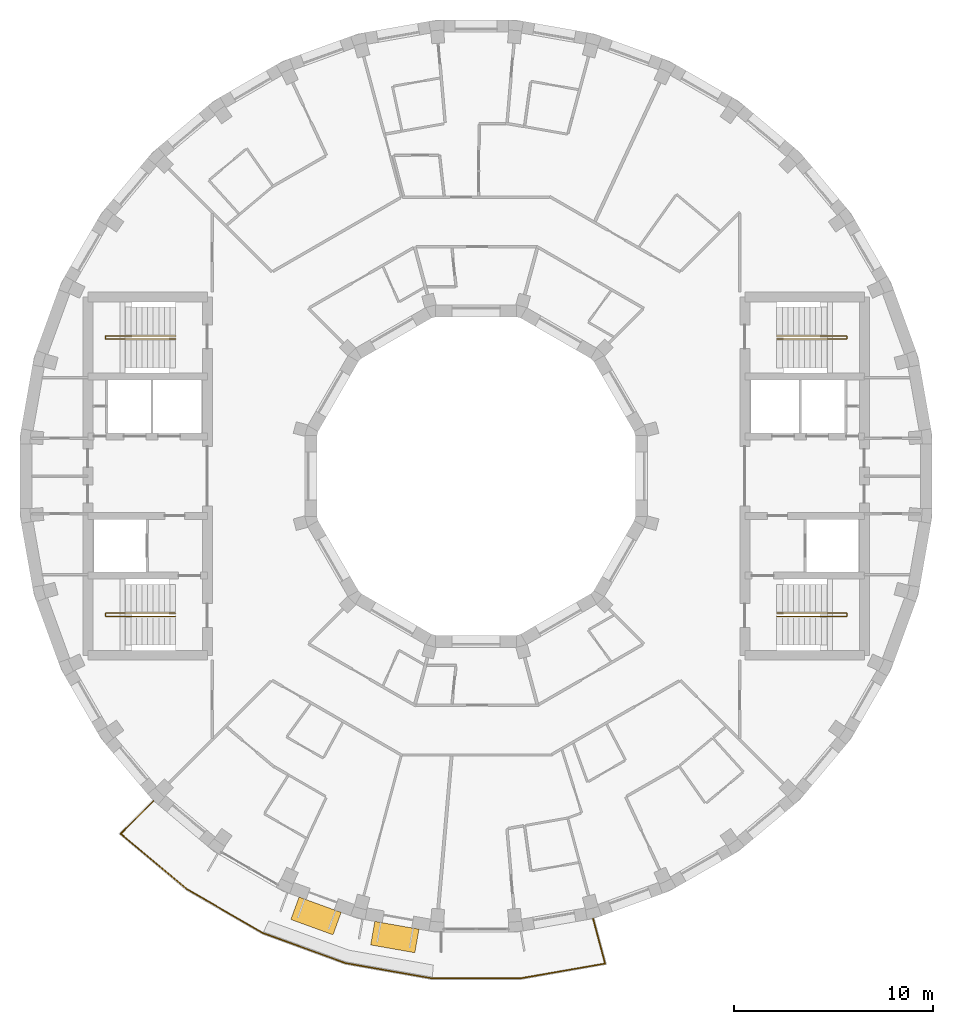
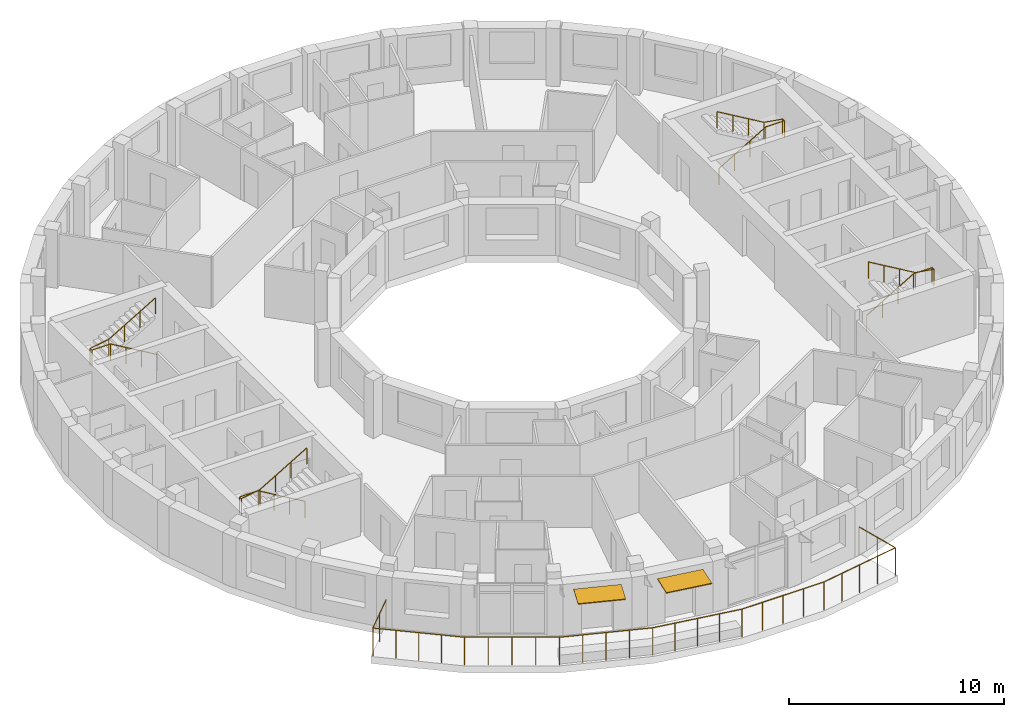
# One storey, part 12 of 12: 5 railings, 2 shading devices.
"""IFC4 building model written with IfcOpenShell, lengths in metres."""

import ifcopenshell
import ifcopenshell.guid

model = None  # the IFC model being written
_history = None  # IfcOwnerHistory: only IFC2X3 demands one
_inside = {}  # id of a spatial element -> (the spatial element, [elements in it])
_under = {}  # id of a project, library or spatial element -> (it, [spatial elements below it])
_declared = {}  # id of a project -> (the project, [libraries it declares])
_typed = {}  # id of a type object -> (the type object, [elements of that type])
_made_of = {}  # id of a material, layer set ... -> (it, [elements and type objects made of it])


def new_model(schema):
    """Start an empty IFC model of exactly this schema.

    Asked for "IFC4X3", IfcOpenShell would pick the latest addendum, in which some entities
    have other attributes; the version numbers below select the first issue.
    IFC2X3 requires an IfcOwnerHistory on every rooted entity: one is made here for all.
    """
    global model, _history
    if schema == "IFC4X3":
        model = ifcopenshell.file(schema_version=(4, 3, 0, 0))
    else:
        model = ifcopenshell.file(schema=schema)
    _inside.clear()
    _under.clear()
    _declared.clear()
    _typed.clear()
    _made_of.clear()
    _history = None
    if model.schema == "IFC2X3":
        org = make("IfcOrganization", Name="unknown")
        user = make(
            "IfcPersonAndOrganization",
            ThePerson=make("IfcPerson", FamilyName="unknown"),
            TheOrganization=org,
        )
        app = make(
            "IfcApplication",
            ApplicationDeveloper=org,
            Version="unknown",
            ApplicationFullName="unknown",
            ApplicationIdentifier="unknown",
        )
        _history = make(
            "IfcOwnerHistory",
            OwningUser=user,
            OwningApplication=app,
            ChangeAction="ADDED",
            CreationDate=0,
        )
    return model


def make(cls, **values):
    """One entity of the class cls with the attributes given. An attribute that is None is left unset."""
    return model.create_entity(
        cls, **{name: value for name, value in values.items() if value is not None}
    )


def rooted(cls, **values):
    """An entity with a GlobalId (a new one), such as an element, a storey or a relation."""
    return make(cls, GlobalId=ifcopenshell.guid.new(), OwnerHistory=_history, **values)


def si_unit(unit_type, name, prefix=None):
    """IfcSIUnit, for example si_unit("LENGTHUNIT", "METRE", prefix="MILLI")."""
    return make("IfcSIUnit", UnitType=unit_type, Prefix=prefix, Name=name)


def assignment(units):
    """IfcUnitAssignment: the units of a project."""
    return None if units is None else make("IfcUnitAssignment", Units=units)


def point(xyz):
    """IfcCartesianPoint."""
    return None if xyz is None else make("IfcCartesianPoint", Coordinates=xyz)


def direction(xyz):
    """IfcDirection."""
    return None if xyz is None else make("IfcDirection", DirectionRatios=xyz)


def frame(location, z_axis=None, x_axis=None):
    """IfcAxis2Placement3D, a coordinate frame: its origin and axes. An axis left out is left unset."""
    return make(
        "IfcAxis2Placement3D",
        Location=point(location),
        Axis=direction(z_axis),
        RefDirection=direction(x_axis),
    )


def frame_2d(location, x_axis=None):
    """IfcAxis2Placement2D, a coordinate frame in the plane: its origin and x axis."""
    return make(
        "IfcAxis2Placement2D", Location=point(location), RefDirection=direction(x_axis)
    )


def origin():
    """The frame at (0, 0, 0) with its axes left unset."""
    return frame((0.0, 0.0, 0.0))


def origin_2d():
    """The frame at (0, 0) in the plane with its x axis left unset."""
    return frame_2d((0.0, 0.0))


def place(relative_to, where):
    """IfcLocalPlacement: puts the frame where relative to a parent placement (None: the world)."""
    return make(
        "IfcLocalPlacement", PlacementRelTo=relative_to, RelativePlacement=where
    )


def context(
    kind, dimensions, precision=None, world=None, true_north=None, identifier=None
):
    """IfcGeometricRepresentationContext, for example the 3D "Model" context."""
    return make(
        "IfcGeometricRepresentationContext",
        ContextIdentifier=identifier,
        ContextType=kind,
        CoordinateSpaceDimension=dimensions,
        Precision=precision,
        WorldCoordinateSystem=world,
        TrueNorth=true_north,
    )


def subcontext(parent, identifier, kind, view, scale=None):
    """IfcGeometricRepresentationSubContext, for example "Body" below "Model"."""
    return make(
        "IfcGeometricRepresentationSubContext",
        ContextIdentifier=identifier,
        ContextType=kind,
        ParentContext=parent,
        TargetScale=scale,
        TargetView=view,
    )


def project(units=None, contexts=None):
    """IfcProject with its units and contexts."""
    return rooted(
        "IfcProject",
        Name="project",
        RepresentationContexts=contexts,
        UnitsInContext=assignment(units),
    )


def spatial(cls, under=None, at=None, **own):
    """A site, building, storey or space (cls), placed at a placement, below another one or the project."""
    s = rooted(cls, ObjectPlacement=at, **own)
    if under is not None:
        _under.setdefault(under.id(), (under, []))[1].append(s)
    return s


def profile(cls, at=None, kind="AREA", **sizes):
    """A parametric profile (cls). Its sizes go by their IFC names, for example OverallWidth=200.0."""
    return make(cls, ProfileType=kind, Position=at, **sizes)


def rectangle(**sizes):
    """IfcRectangleProfileDef."""
    return profile("IfcRectangleProfileDef", **sizes)


def circle(**sizes):
    """IfcCircleProfileDef."""
    return profile("IfcCircleProfileDef", **sizes)


def extrude(swept, where, along, depth):
    """IfcExtrudedAreaSolid: the profile swept, set in the frame where, extruded along a direction by depth."""
    return make(
        "IfcExtrudedAreaSolid",
        SweptArea=swept,
        Position=where,
        ExtrudedDirection=direction(along),
        Depth=depth,
    )


def shape(context_of_items, identifier, shape_type, items):
    """IfcShapeRepresentation: the items that make up one representation, for example the "Body"."""
    return make(
        "IfcShapeRepresentation",
        ContextOfItems=context_of_items,
        RepresentationIdentifier=identifier,
        RepresentationType=shape_type,
        Items=items,
    )


def material(Name=None, Category=None):
    """IfcMaterial."""
    return make("IfcMaterial", Name=Name, Category=Category)


def layer(
    of_material, thickness, ventilated=None, Name=None, Category=None, Priority=None
):
    """IfcMaterialLayer: one layer of a wall or slab, of a material (None: an air gap)."""
    return make(
        "IfcMaterialLayer",
        Material=of_material,
        LayerThickness=thickness,
        IsVentilated=ventilated,
        Name=Name,
        Category=Category,
        Priority=Priority,
    )


def layer_set(layers, Name=None):
    """IfcMaterialLayerSet."""
    return make("IfcMaterialLayerSet", MaterialLayers=layers, LayerSetName=Name)


def made_of(thing, what):
    """Note that an element or type object is made of a material, layer set ...; save() writes the relation."""
    if what is not None:
        _made_of.setdefault(what.id(), (what, []))[1].append(thing)
    return thing


def type_object(cls, material=None, **own):
    """A type object (cls), such as IfcWallType, which elements share."""
    return made_of(rooted(cls, **own), material)


def element(
    cls,
    number,
    at=None,
    inside=None,
    cuts=None,
    type_object=None,
    material=None,
    context=None,
    identifier="Body",
    shape_type=None,
    held_by="IfcProductDefinitionShape",
    body=None,
    shapes=None,
    **own,
):
    """One element of the class cls, such as IfcWall. Its Tag is "e" and its number.

    at: its placement. inside: the storey or other place that contains it. cuts: it is an
    opening in that element (IfcRelVoidsElement). A single representation is given by context,
    identifier, shape_type and body (its items); several are given by shapes. held_by: the class
    of the entity that holds the representations. save() writes the other relations.
    """
    e = rooted(cls, Tag="e%d" % number, ObjectPlacement=at, **own)
    if body is not None:
        shapes = [shape(context, identifier, shape_type, body)]
    if shapes is not None:
        e.Representation = make(held_by, Representations=shapes)
    if inside is not None:
        _inside.setdefault(inside.id(), (inside, []))[1].append(e)
    if cuts is not None:
        rooted(
            "IfcRelVoidsElement", RelatingBuildingElement=cuts, RelatedOpeningElement=e
        )
    if type_object is not None:
        _typed.setdefault(type_object.id(), (type_object, []))[1].append(e)
    return made_of(e, material)


def aggregate(whole, parts):
    """IfcRelAggregates: a whole, such as a stair, and the parts it consists of."""
    return rooted("IfcRelAggregates", RelatingObject=whole, RelatedObjects=parts)


def save(model, path):
    """Write the relations noted so far, then the file.

    IfcRelAggregates (storeys below a building ...), IfcRelContainedInSpatialStructure (elements
    in a storey), IfcRelDefinesByType, IfcRelAssociatesMaterial and IfcRelDeclares: one each for
    every whole, place, type object, material and project.
    """
    for whole, parts in _under.values():
        aggregate(whole, parts)
    for where, things in _inside.values():
        rooted(
            "IfcRelContainedInSpatialStructure",
            RelatedElements=things,
            RelatingStructure=where,
        )
    for kind, things in _typed.values():
        rooted("IfcRelDefinesByType", RelatedObjects=things, RelatingType=kind)
    for what, things in _made_of.values():
        rooted("IfcRelAssociatesMaterial", RelatedObjects=things, RelatingMaterial=what)
    for by, libraries in _declared.values():
        rooted("IfcRelDeclares", RelatingContext=by, RelatedDefinitions=libraries)
    model.write(path)


model = new_model("IFC4")

# Units and contexts
model_context = context("Model", 3, precision=1e-05, world=origin(), true_north=direction((0.0, 1.0)))
body_context = subcontext(model_context, "Body", "Model", "MODEL_VIEW")
ifc_project = project(units=[si_unit("LENGTHUNIT", "METRE"), si_unit("AREAUNIT", "SQUARE_METRE"), si_unit("VOLUMEUNIT", "CUBIC_METRE"), si_unit("PLANEANGLEUNIT", "RADIAN"), si_unit("MASSUNIT", "GRAM", prefix="KILO")], contexts=[model_context])

# Site, building, storey
site_placement = place(None, origin())
site = spatial("IfcSite", under=ifc_project, at=site_placement, CompositionType="ELEMENT")
building_placement = place(site_placement, origin())
building = spatial("IfcBuilding", under=site, at=building_placement, Name="Saqina Gate Tower", CompositionType="ELEMENT")
storey_placement = place(building_placement, frame((0.0, 0.0, 269.300048828125)))
storey = spatial("IfcBuildingStorey", under=building, at=storey_placement, Name="L77", CompositionType="ELEMENT", Elevation=269.300048828125)

# Shading devices
ifc_material_1 = material(Name="Aluminium and fabric awning", Category="aluminium")
ifc_layer = layer(ifc_material_1, 0.050048828125)
ifc_layer_set = layer_set([ifc_layer], Name="AW-TERRACE")
shading_device_type = type_object("IfcShadingDeviceType", Name="AW-TERRACE", PredefinedType="AWNING", material=ifc_layer_set)
for number, where, z_axis, x_axis, name in (
    (1, (-8.041748046875, -22.094482421875, 2.52490234375), (0.0, 0.0, 1.0), (0.939692620786, -0.342020143326, 0.0), "Terrace awning L77 facet 25"),
    (2, (-4.0830078125, -23.1552734375, 2.52490234375), (0.0, 0.0, 1.0), (0.984807753012, -0.173648177667, 0.0), "Terrace awning L77 facet 26"),
):
    element("IfcShadingDevice", number, at=place(storey_placement, frame(where, z_axis=z_axis, x_axis=x_axis)), inside=storey, type_object=shading_device_type, Name=name, PredefinedType="AWNING", context=body_context, shape_type="SweptSolid", body=[
        extrude(rectangle(XDim=2.251708984375, YDim=1.199951171875, at=origin_2d()), origin(), (0.0, 0.0, 1.0), 0.050048828125),
    ])

# Railings
ifc_material_2 = material(Name="Stainless steel", Category="steel")
railing_type_1 = type_object("IfcRailingType", Name="RL-TERRACE", PredefinedType="GUARDRAIL", material=ifc_material_2)
railing_1_placement = place(storey_placement, frame((-16.16455078125, -16.277587890625, 0.0)))
element("IfcRailing", 3, at=railing_1_placement, inside=storey, type_object=railing_type_1, Name="Terrace guard L77", PredefinedType="GUARDRAIL", context=body_context, shape_type="SweptSolid", body=[
    extrude(circle(Radius=0.02392578125, at=origin_2d()), frame((0.0, 0.0, 1.576171875), z_axis=(-0.707055676733, -0.707157881947, 0.0), x_axis=(0.707157881947, -0.707055676733, 0.0)), (0.0, 0.0, 1.0), 2.388671875),
    extrude(circle(Radius=0.02392578125, at=origin_2d()), frame((-1.68896484375, -1.689208984375, 1.576171875), z_axis=(0.76705217952, -0.641584720745, 0.0), x_axis=(0.641584720745, 0.76705217952, 0.0)), (0.0, 0.0, 1.0), 4.33544921875),
    extrude(circle(Radius=0.02392578125, at=origin_2d()), frame((1.636474609375, -4.470703125, 1.576171875), z_axis=(0.866036415623, -0.49998092645, 0.0), x_axis=(0.49998092645, 0.866036415623, 0.0)), (0.0, 0.0, 1.0), 4.415283203125),
    extrude(circle(Radius=0.02392578125, at=origin_2d()), frame((5.460205078125, -6.67822265625, 1.576171875), z_axis=(0.93969166445, -0.342022770825, 0.0), x_axis=(0.342022770825, 0.93969166445, 0.0)), (0.0, 0.0, 1.0), 4.4150390625),
    extrude(circle(Radius=0.02392578125, at=origin_2d()), frame((9.60888671875, -8.188232421875, 1.576171875), z_axis=(0.984811379451, -0.173627609853, 0.0), x_axis=(0.173627609853, 0.984811379451, 0.0)), (0.0, 0.0, 1.0), 4.415283203125),
    extrude(circle(Radius=0.02392578125, at=origin_2d()), frame((13.95703125, -8.954833984375, 1.576171875), z_axis=(1.0, 0.0, 0.0), x_axis=(0.0, 1.0, 0.0)), (0.0, 0.0, 1.0), 4.4150390625),
    extrude(circle(Radius=0.02392578125, at=origin_2d()), frame((18.3720703125, -8.954833984375, 1.576171875), z_axis=(0.985090409093, 0.172037454969, 0.0), x_axis=(-0.172037454969, 0.985090409093, 0.0)), (0.0, 0.0, 1.0), 4.33544921875),
    extrude(circle(Radius=0.02392578125, at=origin_2d()), frame((22.642822265625, -8.208984375, 1.576171875), z_axis=(-0.258756517988, 0.96594257821, 0.0), x_axis=(-0.96594257821, -0.258756517988, 0.0)), (0.0, 0.0, 1.0), 2.388916015625),
    extrude(circle(Radius=0.02099609375, at=origin_2d()), origin(), (0.0, 0.0, 1.0), 1.552001953125),
    extrude(circle(Radius=0.02099609375, at=origin_2d()), frame((-0.844482421875, -0.8447265625, 0.0)), (0.0, 0.0, 1.0), 1.552001953125),
    extrude(circle(Radius=0.02099609375, at=origin_2d()), frame((-1.68896484375, -1.689208984375, 0.0)), (0.0, 0.0, 1.0), 1.552001953125),
    extrude(circle(Radius=0.02099609375, at=origin_2d()), frame((-0.857666015625, -2.384521484375, 0.0)), (0.0, 0.0, 1.0), 1.552001953125),
    extrude(circle(Radius=0.02099609375, at=origin_2d()), frame((-0.0263671875, -3.080078125, 0.0)), (0.0, 0.0, 1.0), 1.552001953125),
    extrude(circle(Radius=0.02099609375, at=origin_2d()), frame((0.80517578125, -3.775390625, 0.0)), (0.0, 0.0, 1.0), 1.552001953125),
    extrude(circle(Radius=0.02099609375, at=origin_2d()), frame((1.636474609375, -4.470703125, 0.0)), (0.0, 0.0, 1.0), 1.552001953125),
    extrude(circle(Radius=0.02099609375, at=origin_2d()), frame((2.59228515625, -5.0224609375, 0.0)), (0.0, 0.0, 1.0), 1.552001953125),
    extrude(circle(Radius=0.02099609375, at=origin_2d()), frame((3.54833984375, -5.574462890625, 0.0)), (0.0, 0.0, 1.0), 1.552001953125),
    extrude(circle(Radius=0.02099609375, at=origin_2d()), frame((4.50439453125, -6.12646484375, 0.0)), (0.0, 0.0, 1.0), 1.552001953125),
    extrude(circle(Radius=0.02099609375, at=origin_2d()), frame((5.460205078125, -6.67822265625, 0.0)), (0.0, 0.0, 1.0), 1.552001953125),
    extrude(circle(Radius=0.02099609375, at=origin_2d()), frame((6.497314453125, -7.0556640625, 0.0)), (0.0, 0.0, 1.0), 1.552001953125),
    extrude(circle(Radius=0.02099609375, at=origin_2d()), frame((7.53466796875, -7.43310546875, 0.0)), (0.0, 0.0, 1.0), 1.552001953125),
    extrude(circle(Radius=0.02099609375, at=origin_2d()), frame((8.57177734375, -7.810791015625, 0.0)), (0.0, 0.0, 1.0), 1.552001953125),
    extrude(circle(Radius=0.02099609375, at=origin_2d()), frame((9.60888671875, -8.188232421875, 0.0)), (0.0, 0.0, 1.0), 1.552001953125),
    extrude(circle(Radius=0.02099609375, at=origin_2d()), frame((10.69580078125, -8.3798828125, 0.0)), (0.0, 0.0, 1.0), 1.552001953125),
    extrude(circle(Radius=0.02099609375, at=origin_2d()), frame((11.782958984375, -8.571533203125, 0.0)), (0.0, 0.0, 1.0), 1.552001953125),
    extrude(circle(Radius=0.02099609375, at=origin_2d()), frame((12.8701171875, -8.76318359375, 0.0)), (0.0, 0.0, 1.0), 1.552001953125),
    extrude(circle(Radius=0.02099609375, at=origin_2d()), frame((13.95703125, -8.954833984375, 0.0)), (0.0, 0.0, 1.0), 1.552001953125),
    extrude(circle(Radius=0.02099609375, at=origin_2d()), frame((15.060791015625, -8.954833984375, 0.0)), (0.0, 0.0, 1.0), 1.552001953125),
    extrude(circle(Radius=0.02099609375, at=origin_2d()), frame((16.16455078125, -8.954833984375, 0.0)), (0.0, 0.0, 1.0), 1.552001953125),
    extrude(circle(Radius=0.02099609375, at=origin_2d()), frame((17.268310546875, -8.954833984375, 0.0)), (0.0, 0.0, 1.0), 1.552001953125),
    extrude(circle(Radius=0.02099609375, at=origin_2d()), frame((18.3720703125, -8.954833984375, 0.0)), (0.0, 0.0, 1.0), 1.552001953125),
    extrude(circle(Radius=0.02099609375, at=origin_2d()), frame((19.439697265625, -8.768310546875, 0.0)), (0.0, 0.0, 1.0), 1.552001953125),
    extrude(circle(Radius=0.02099609375, at=origin_2d()), frame((20.50732421875, -8.58203125, 0.0)), (0.0, 0.0, 1.0), 1.552001953125),
    extrude(circle(Radius=0.02099609375, at=origin_2d()), frame((21.5751953125, -8.3955078125, 0.0)), (0.0, 0.0, 1.0), 1.552001953125),
    extrude(circle(Radius=0.02099609375, at=origin_2d()), frame((22.642822265625, -8.208984375, 0.0)), (0.0, 0.0, 1.0), 1.552001953125),
    extrude(circle(Radius=0.02099609375, at=origin_2d()), frame((22.333740234375, -7.05517578125, 0.0)), (0.0, 0.0, 1.0), 1.552001953125),
    extrude(circle(Radius=0.02099609375, at=origin_2d()), frame((22.024658203125, -5.9013671875, 0.0)), (0.0, 0.0, 1.0), 1.552001953125),
])
ifc_material_3 = material(Name="Stainless steel", Category="steel")
railing_type_2 = type_object("IfcRailingType", Name="STAIR HANDRAIL", PredefinedType="HANDRAIL", material=ifc_material_3)
railing_2_placement = place(storey_placement, frame((15.10009765625, 6.88330078125, 0.1650390625)))
element("IfcRailing", 4, at=railing_2_placement, inside=storey, type_object=railing_type_2, Name="EXIT STAIR 1 HANDRAIL", PredefinedType="HANDRAIL", context=body_context, shape_type="SweptSolid", body=[
    extrude(circle(Radius=0.02392578125, at=origin_2d()), frame((0.0, 0.0, 0.92578125), z_axis=(0.861560626758, 0.0, 0.507654692109), x_axis=(0.0, 1.0, 0.0)), (0.0, 0.0, 1.0), 2.925048828125),
    extrude(circle(Radius=0.02392578125, at=origin_2d()), frame((2.52001953125, 0.0, 2.41064453125), z_axis=(1.0, 0.0, 0.0), x_axis=(0.0, 1.0, 0.0)), (0.0, 0.0, 1.0), 1.0),
    extrude(circle(Radius=0.02392578125, at=origin_2d()), frame((3.52001953125, 0.0, 2.41064453125), z_axis=(0.0, 1.0, 0.0), x_axis=(-1.0, 0.0, 0.0)), (0.0, 0.0, 1.0), 0.158447265625),
    extrude(circle(Radius=0.02392578125, at=origin_2d()), frame((3.52001953125, 0.158447265625, 2.41064453125), z_axis=(-0.98665309941, 0.0, 0.162836302539), x_axis=(0.0, -1.0, 0.0)), (0.0, 0.0, 1.0), 1.013427734375),
    extrude(circle(Radius=0.02392578125, at=origin_2d()), frame((2.52001953125, 0.158447265625, 2.57568359375), z_axis=(-0.86152411907, 0.0, 0.507716645641), x_axis=(0.0, -1.0, 0.0)), (0.0, 0.0, 1.0), 2.925048828125),
    extrude(circle(Radius=0.02099609375, at=origin_2d()), origin(), (0.0, 0.0, 1.0), 0.90185546875),
    extrude(circle(Radius=0.02099609375, at=origin_2d()), frame((0.840087890625, 0.0, 0.494873046875)), (0.0, 0.0, 1.0), 0.90185546875),
    extrude(circle(Radius=0.02099609375, at=origin_2d()), frame((1.679931640625, 0.0, 0.989990234375)), (0.0, 0.0, 1.0), 0.90185546875),
    extrude(circle(Radius=0.02099609375, at=origin_2d()), frame((2.52001953125, 0.0, 1.48486328125)), (0.0, 0.0, 1.0), 0.90185546875),
    extrude(circle(Radius=0.02099609375, at=origin_2d()), frame((3.52001953125, 0.0, 1.48486328125)), (0.0, 0.0, 1.0), 0.90185546875),
    extrude(circle(Radius=0.02099609375, at=origin_2d()), frame((3.52001953125, 0.158447265625, 1.48486328125)), (0.0, 0.0, 1.0), 0.90185546875),
    extrude(circle(Radius=0.02099609375, at=origin_2d()), frame((2.52001953125, 0.158447265625, 1.64990234375)), (0.0, 0.0, 1.0), 0.90185546875),
    extrude(circle(Radius=0.02099609375, at=origin_2d()), frame((1.679931640625, 0.158447265625, 2.14501953125)), (0.0, 0.0, 1.0), 0.90185546875),
    extrude(circle(Radius=0.02099609375, at=origin_2d()), frame((0.840087890625, 0.158447265625, 2.639892578125)), (0.0, 0.0, 1.0), 0.90185546875),
    extrude(circle(Radius=0.02099609375, at=origin_2d()), frame((0.0, 0.158447265625, 3.135009765625)), (0.0, 0.0, 1.0), 0.90185546875),
])
railing_3_placement = place(storey_placement, frame((15.10009765625, -6.88330078125, 0.1650390625)))
element("IfcRailing", 5, at=railing_3_placement, inside=storey, type_object=railing_type_2, Name="EXIT STAIR 2 HANDRAIL", PredefinedType="HANDRAIL", context=body_context, shape_type="SweptSolid", body=[
    extrude(circle(Radius=0.02392578125, at=origin_2d()), frame((0.0, 0.0, 0.92578125), z_axis=(0.861560626758, 0.0, 0.507654692109), x_axis=(0.0, 1.0, 0.0)), (0.0, 0.0, 1.0), 2.925048828125),
    extrude(circle(Radius=0.02392578125, at=origin_2d()), frame((2.52001953125, 0.0, 2.41064453125), z_axis=(1.0, 0.0, 0.0), x_axis=(0.0, 1.0, 0.0)), (0.0, 0.0, 1.0), 1.0),
    extrude(circle(Radius=0.02392578125, at=origin_2d()), frame((3.52001953125, 0.0, 2.41064453125), z_axis=(0.0, -1.0, 0.0), x_axis=(1.0, 0.0, 0.0)), (0.0, 0.0, 1.0), 0.158447265625),
    extrude(circle(Radius=0.02392578125, at=origin_2d()), frame((3.52001953125, -0.158447265625, 2.41064453125), z_axis=(-0.98665309941, 0.0, 0.162836302539), x_axis=(0.0, -1.0, 0.0)), (0.0, 0.0, 1.0), 1.013427734375),
    extrude(circle(Radius=0.02392578125, at=origin_2d()), frame((2.52001953125, -0.158447265625, 2.57568359375), z_axis=(-0.86152411907, 0.0, 0.507716645641), x_axis=(0.0, -1.0, 0.0)), (0.0, 0.0, 1.0), 2.925048828125),
    extrude(circle(Radius=0.02099609375, at=origin_2d()), origin(), (0.0, 0.0, 1.0), 0.90185546875),
    extrude(circle(Radius=0.02099609375, at=origin_2d()), frame((0.840087890625, 0.0, 0.494873046875)), (0.0, 0.0, 1.0), 0.90185546875),
    extrude(circle(Radius=0.02099609375, at=origin_2d()), frame((1.679931640625, 0.0, 0.989990234375)), (0.0, 0.0, 1.0), 0.90185546875),
    extrude(circle(Radius=0.02099609375, at=origin_2d()), frame((2.52001953125, 0.0, 1.48486328125)), (0.0, 0.0, 1.0), 0.90185546875),
    extrude(circle(Radius=0.02099609375, at=origin_2d()), frame((3.52001953125, 0.0, 1.48486328125)), (0.0, 0.0, 1.0), 0.90185546875),
    extrude(circle(Radius=0.02099609375, at=origin_2d()), frame((3.52001953125, -0.158447265625, 1.48486328125)), (0.0, 0.0, 1.0), 0.90185546875),
    extrude(circle(Radius=0.02099609375, at=origin_2d()), frame((2.52001953125, -0.158447265625, 1.64990234375)), (0.0, 0.0, 1.0), 0.90185546875),
    extrude(circle(Radius=0.02099609375, at=origin_2d()), frame((1.679931640625, -0.158447265625, 2.14501953125)), (0.0, 0.0, 1.0), 0.90185546875),
    extrude(circle(Radius=0.02099609375, at=origin_2d()), frame((0.840087890625, -0.158447265625, 2.639892578125)), (0.0, 0.0, 1.0), 0.90185546875),
    extrude(circle(Radius=0.02099609375, at=origin_2d()), frame((0.0, -0.158447265625, 3.135009765625)), (0.0, 0.0, 1.0), 0.90185546875),
])
railing_4_placement = place(storey_placement, frame((-15.10009765625, 6.88330078125, 0.1650390625)))
element("IfcRailing", 6, at=railing_4_placement, inside=storey, type_object=railing_type_2, Name="EXIT STAIR 3 HANDRAIL", PredefinedType="HANDRAIL", context=body_context, shape_type="SweptSolid", body=[
    extrude(circle(Radius=0.02392578125, at=origin_2d()), frame((0.0, 0.0, 0.92578125), z_axis=(-0.861560626758, 0.0, 0.507654692109), x_axis=(0.0, -1.0, 0.0)), (0.0, 0.0, 1.0), 2.925048828125),
    extrude(circle(Radius=0.02392578125, at=origin_2d()), frame((-2.52001953125, 0.0, 2.41064453125), z_axis=(-1.0, 0.0, 0.0), x_axis=(0.0, -1.0, 0.0)), (0.0, 0.0, 1.0), 1.0),
    extrude(circle(Radius=0.02392578125, at=origin_2d()), frame((-3.52001953125, 0.0, 2.41064453125), z_axis=(0.0, 1.0, 0.0), x_axis=(-1.0, 0.0, 0.0)), (0.0, 0.0, 1.0), 0.158447265625),
    extrude(circle(Radius=0.02392578125, at=origin_2d()), frame((-3.52001953125, 0.158447265625, 2.41064453125), z_axis=(0.98665309941, 0.0, 0.162836302539), x_axis=(0.0, 1.0, 0.0)), (0.0, 0.0, 1.0), 1.013427734375),
    extrude(circle(Radius=0.02392578125, at=origin_2d()), frame((-2.52001953125, 0.158447265625, 2.57568359375), z_axis=(0.86152411907, 0.0, 0.507716645641), x_axis=(0.0, 1.0, 0.0)), (0.0, 0.0, 1.0), 2.925048828125),
    extrude(circle(Radius=0.02099609375, at=origin_2d()), origin(), (0.0, 0.0, 1.0), 0.90185546875),
    extrude(circle(Radius=0.02099609375, at=origin_2d()), frame((-0.840087890625, 0.0, 0.494873046875)), (0.0, 0.0, 1.0), 0.90185546875),
    extrude(circle(Radius=0.02099609375, at=origin_2d()), frame((-1.679931640625, 0.0, 0.989990234375)), (0.0, 0.0, 1.0), 0.90185546875),
    extrude(circle(Radius=0.02099609375, at=origin_2d()), frame((-2.52001953125, 0.0, 1.48486328125)), (0.0, 0.0, 1.0), 0.90185546875),
    extrude(circle(Radius=0.02099609375, at=origin_2d()), frame((-3.52001953125, 0.0, 1.48486328125)), (0.0, 0.0, 1.0), 0.90185546875),
    extrude(circle(Radius=0.02099609375, at=origin_2d()), frame((-3.52001953125, 0.158447265625, 1.48486328125)), (0.0, 0.0, 1.0), 0.90185546875),
    extrude(circle(Radius=0.02099609375, at=origin_2d()), frame((-2.52001953125, 0.158447265625, 1.64990234375)), (0.0, 0.0, 1.0), 0.90185546875),
    extrude(circle(Radius=0.02099609375, at=origin_2d()), frame((-1.679931640625, 0.158447265625, 2.14501953125)), (0.0, 0.0, 1.0), 0.90185546875),
    extrude(circle(Radius=0.02099609375, at=origin_2d()), frame((-0.840087890625, 0.158447265625, 2.639892578125)), (0.0, 0.0, 1.0), 0.90185546875),
    extrude(circle(Radius=0.02099609375, at=origin_2d()), frame((0.0, 0.158447265625, 3.135009765625)), (0.0, 0.0, 1.0), 0.90185546875),
])
railing_5_placement = place(storey_placement, frame((-15.10009765625, -6.88330078125, 0.1650390625)))
element("IfcRailing", 7, at=railing_5_placement, inside=storey, type_object=railing_type_2, Name="EXIT STAIR 4 HANDRAIL", PredefinedType="HANDRAIL", context=body_context, shape_type="SweptSolid", body=[
    extrude(circle(Radius=0.02392578125, at=origin_2d()), frame((0.0, 0.0, 0.92578125), z_axis=(-0.861560626758, 0.0, 0.507654692109), x_axis=(0.0, -1.0, 0.0)), (0.0, 0.0, 1.0), 2.925048828125),
    extrude(circle(Radius=0.02392578125, at=origin_2d()), frame((-2.52001953125, 0.0, 2.41064453125), z_axis=(-1.0, 0.0, 0.0), x_axis=(0.0, -1.0, 0.0)), (0.0, 0.0, 1.0), 1.0),
    extrude(circle(Radius=0.02392578125, at=origin_2d()), frame((-3.52001953125, 0.0, 2.41064453125), z_axis=(0.0, -1.0, 0.0), x_axis=(1.0, 0.0, 0.0)), (0.0, 0.0, 1.0), 0.158447265625),
    extrude(circle(Radius=0.02392578125, at=origin_2d()), frame((-3.52001953125, -0.158447265625, 2.41064453125), z_axis=(0.98665309941, 0.0, 0.162836302539), x_axis=(0.0, 1.0, 0.0)), (0.0, 0.0, 1.0), 1.013427734375),
    extrude(circle(Radius=0.02392578125, at=origin_2d()), frame((-2.52001953125, -0.158447265625, 2.57568359375), z_axis=(0.86152411907, 0.0, 0.507716645641), x_axis=(0.0, 1.0, 0.0)), (0.0, 0.0, 1.0), 2.925048828125),
    extrude(circle(Radius=0.02099609375, at=origin_2d()), origin(), (0.0, 0.0, 1.0), 0.90185546875),
    extrude(circle(Radius=0.02099609375, at=origin_2d()), frame((-0.840087890625, 0.0, 0.494873046875)), (0.0, 0.0, 1.0), 0.90185546875),
    extrude(circle(Radius=0.02099609375, at=origin_2d()), frame((-1.679931640625, 0.0, 0.989990234375)), (0.0, 0.0, 1.0), 0.90185546875),
    extrude(circle(Radius=0.02099609375, at=origin_2d()), frame((-2.52001953125, 0.0, 1.48486328125)), (0.0, 0.0, 1.0), 0.90185546875),
    extrude(circle(Radius=0.02099609375, at=origin_2d()), frame((-3.52001953125, 0.0, 1.48486328125)), (0.0, 0.0, 1.0), 0.90185546875),
    extrude(circle(Radius=0.02099609375, at=origin_2d()), frame((-3.52001953125, -0.158447265625, 1.48486328125)), (0.0, 0.0, 1.0), 0.90185546875),
    extrude(circle(Radius=0.02099609375, at=origin_2d()), frame((-2.52001953125, -0.158447265625, 1.64990234375)), (0.0, 0.0, 1.0), 0.90185546875),
    extrude(circle(Radius=0.02099609375, at=origin_2d()), frame((-1.679931640625, -0.158447265625, 2.14501953125)), (0.0, 0.0, 1.0), 0.90185546875),
    extrude(circle(Radius=0.02099609375, at=origin_2d()), frame((-0.840087890625, -0.158447265625, 2.639892578125)), (0.0, 0.0, 1.0), 0.90185546875),
    extrude(circle(Radius=0.02099609375, at=origin_2d()), frame((0.0, -0.158447265625, 3.135009765625)), (0.0, 0.0, 1.0), 0.90185546875),
])

save(model, "model.ifc")
